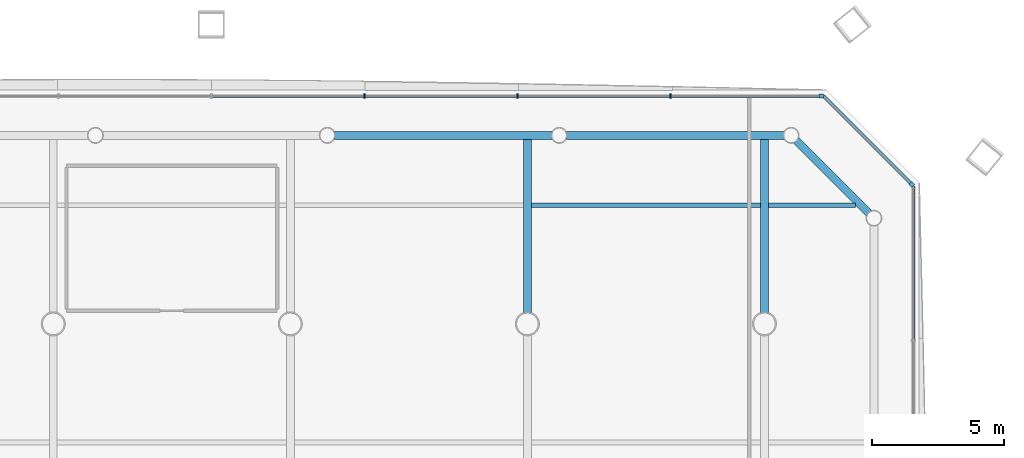
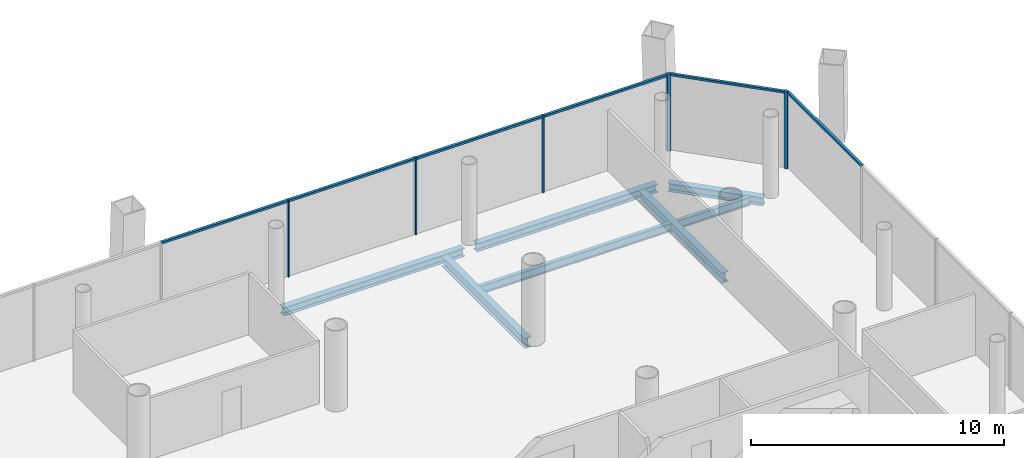
# One storey, part 11 of 21: 11 members, 7 beams, 3 elements without a shape of their own.
"""IFC4 building model written with IfcOpenShell, lengths in metres."""

from ifc_helpers import new_model, si_unit, direction, frame, origin, origin_2d, place, context, subcontext, project, spatial, rectangle, i_section, extrude, material, material_profile, profile_set, type_object, element, aggregate, save


model = new_model("IFC4")

# Units and contexts
model_context = context("Model", 3, precision=1e-05, world=origin(), true_north=direction((0.0, 1.0)))
body_context = subcontext(model_context, "Body", "Model", "MODEL_VIEW")
ifc_project = project(units=[si_unit("LENGTHUNIT", "METRE"), si_unit("AREAUNIT", "SQUARE_METRE"), si_unit("VOLUMEUNIT", "CUBIC_METRE"), si_unit("PLANEANGLEUNIT", "RADIAN"), si_unit("MASSUNIT", "GRAM", prefix="KILO")], contexts=[model_context])

# Site, building, storey
site_placement = place(None, origin())
site = spatial("IfcSite", under=ifc_project, at=site_placement, CompositionType="ELEMENT")
building_placement = place(site_placement, origin())
building = spatial("IfcBuilding", under=site, at=building_placement, Name="Tskaro Facet Tower", CompositionType="ELEMENT")
storey_placement = place(building_placement, frame((0.0, 0.0, 42.0)))
storey = spatial("IfcBuildingStorey", under=building, at=storey_placement, Name="L09", CompositionType="ELEMENT", Elevation=42.0)

# Curtain wall, member
ifc_material_1 = material(Name="Bronze anodised aluminium 6063-T6", Category="aluminium")
curtain_wall_type = type_object("IfcCurtainWallType", Name="Bronze office curtain wall (FW1)", PredefinedType="NOTDEFINED", material=ifc_material_1)
curtain_wall_1_placement = place(storey_placement, origin())
curtain_wall_1 = element("IfcCurtainWall", 1, at=curtain_wall_1_placement, inside=storey, type_object=curtain_wall_type, Name="FW1 north-east facet L09", PredefinedType="NOTDEFINED")
ifc_material_profile_1 = material_profile(ifc_material_1, rectangle(XDim=0.159912109375, YDim=0.159912109375, at=origin_2d()), Name="Corner post 160x160")
ifc_profile_set_1 = profile_set([ifc_material_profile_1], Name="Bronze anodised aluminium 6063-T6")
member_type_1 = type_object("IfcMemberType", Name="FW1 bronze corner post 160x160", PredefinedType="MULLION", material=ifc_profile_set_1)
member_1_placement = place(storey_placement, frame((23.597412109375, 23.29150390625, 0.0), z_axis=(0.0, 0.0, 1.0), x_axis=(-0.707106781187, 0.707106781187, 0.0)))
member_1 = element("IfcMember", 2, at=member_1_placement, type_object=member_type_1, Name="FW1 north-east corner post", PredefinedType="MULLION", context=body_context, shape_type="SweptSolid", body=[
    extrude(rectangle(XDim=0.159912109375, YDim=0.159912109375, at=origin_2d()), origin(), (0.0, 0.0, 1.0), 3.699951171875),
])

# Curtain wall, members
curtain_wall_2_placement = place(storey_placement, origin())
curtain_wall_2 = element("IfcCurtainWall", 3, at=curtain_wall_2_placement, inside=storey, type_object=curtain_wall_type, Name="FW1 north facet L09", PredefinedType="NOTDEFINED")
member_2_placement = place(storey_placement, frame((20.155029296875, 26.654052734375, 0.0), z_axis=(0.0, 0.0, 1.0), x_axis=(-1.0, 0.0, 0.0)))
member_2 = element("IfcMember", 4, at=member_2_placement, type_object=member_type_1, Name="FW1 north corner post", PredefinedType="MULLION", context=body_context, shape_type="SweptSolid", body=[
    extrude(rectangle(XDim=0.159912109375, YDim=0.159912109375, at=origin_2d()), origin(), (0.0, 0.0, 1.0), 3.699951171875),
])
ifc_material_profile_2 = material_profile(ifc_material_1, rectangle(XDim=0.06005859375, YDim=0.159912109375, at=origin_2d()), Name="Mullion 60x160")
ifc_profile_set_2 = profile_set([ifc_material_profile_2], Name="Bronze anodised aluminium 6063-T6")
member_type_2 = type_object("IfcMemberType", Name="FW1 bronze mullion 60x160", PredefinedType="MULLION", material=ifc_profile_set_2)
member_3_placement = place(storey_placement, frame((14.42626953125, 26.654052734375, 0.0), z_axis=(0.0, 0.0, 1.0), x_axis=(-1.0, 0.0, 0.0)))
member_3 = element("IfcMember", 5, at=member_3_placement, type_object=member_type_2, Name="FW1 north mullion 1", PredefinedType="MULLION", context=body_context, shape_type="SweptSolid", body=[
    extrude(rectangle(XDim=0.06005859375, YDim=0.159912109375, at=origin_2d()), origin(), (0.0, 0.0, 1.0), 3.699951171875),
])
member_4_placement = place(storey_placement, frame((8.617431640625, 26.654052734375, 0.0), z_axis=(0.0, 0.0, 1.0), x_axis=(-1.0, 0.0, 0.0)))
member_4 = element("IfcMember", 6, at=member_4_placement, type_object=member_type_2, Name="FW1 north mullion 2", PredefinedType="MULLION", context=body_context, shape_type="SweptSolid", body=[
    extrude(rectangle(XDim=0.06005859375, YDim=0.159912109375, at=origin_2d()), origin(), (0.0, 0.0, 1.0), 3.699951171875),
])
member_5_placement = place(storey_placement, frame((2.808837890625, 26.654052734375, 0.0), z_axis=(0.0, 0.0, 1.0), x_axis=(-1.0, 0.0, 0.0)))
member_5 = element("IfcMember", 7, at=member_5_placement, type_object=member_type_2, Name="FW1 north mullion 3", PredefinedType="MULLION", context=body_context, shape_type="SweptSolid", body=[
    extrude(rectangle(XDim=0.06005859375, YDim=0.159912109375, at=origin_2d()), origin(), (0.0, 0.0, 1.0), 3.699951171875),
])

# Curtain wall, member
curtain_wall_3_placement = place(storey_placement, origin())
curtain_wall_3 = element("IfcCurtainWall", 8, at=curtain_wall_3_placement, inside=storey, type_object=curtain_wall_type, Name="FW1 east facet L09", PredefinedType="NOTDEFINED")
ifc_material_profile_3 = material_profile(ifc_material_1, rectangle(XDim=0.1201171875, YDim=0.10009765625, at=origin_2d()), Name="Transom 120x100")
ifc_profile_set_3 = profile_set([ifc_material_profile_3], Name="Bronze anodised aluminium 6063-T6")
member_type_3 = type_object("IfcMemberType", Name="FW1 bronze transom 120x100", PredefinedType="USERDEFINED", material=ifc_profile_set_3)
member_6_placement = place(storey_placement, frame((23.654052734375, 17.396484375, 3.64990234375), z_axis=(0.0, 1.0, 0.0), x_axis=(-1.0, 0.0, 0.0)))
member_6 = element("IfcMember", 9, at=member_6_placement, type_object=member_type_3, Name="FW1 east transom 8.1", ObjectType="TRANSOM", PredefinedType="USERDEFINED", context=body_context, shape_type="SweptSolid", body=[
    extrude(rectangle(XDim=0.1201171875, YDim=0.10009765625, at=origin_2d()), origin(), (0.0, 0.0, 1.0), 5.838623046875),
])
aggregate(curtain_wall_3, [member_6])

# Member
member_7_placement = place(storey_placement, frame((23.540771484375, 23.34814453125, 3.64990234375), z_axis=(-0.707080669897, 0.707132891512, 0.0), x_axis=(-0.707132891512, -0.707080669897, 0.0)))
member_7 = element("IfcMember", 10, at=member_7_placement, type_object=member_type_3, Name="FW1 north-east transom 1.1", ObjectType="TRANSOM", PredefinedType="USERDEFINED", context=body_context, shape_type="SweptSolid", body=[
    extrude(rectangle(XDim=0.1201171875, YDim=0.10009765625, at=origin_2d()), origin(), (0.0, 0.0, 1.0), 4.675048828125),
])

aggregate(curtain_wall_1, [member_1, member_7])

member_8_placement = place(storey_placement, frame((20.074951171875, 26.654052734375, 3.64990234375), z_axis=(-1.0, 0.0, 0.0), x_axis=(0.0, -1.0, 0.0)))
member_8 = element("IfcMember", 11, at=member_8_placement, type_object=member_type_3, Name="FW1 north transom 1.1", ObjectType="TRANSOM", PredefinedType="USERDEFINED", context=body_context, shape_type="SweptSolid", body=[
    extrude(rectangle(XDim=0.1201171875, YDim=0.10009765625, at=origin_2d()), origin(), (0.0, 0.0, 1.0), 5.61865234375),
])

member_9_placement = place(storey_placement, frame((14.396240234375, 26.654052734375, 3.64990234375), z_axis=(-1.0, 0.0, 0.0), x_axis=(0.0, -1.0, 0.0)))
member_9 = element("IfcMember", 12, at=member_9_placement, type_object=member_type_3, Name="FW1 north transom 2.1", ObjectType="TRANSOM", PredefinedType="USERDEFINED", context=body_context, shape_type="SweptSolid", body=[
    extrude(rectangle(XDim=0.1201171875, YDim=0.10009765625, at=origin_2d()), origin(), (0.0, 0.0, 1.0), 5.748779296875),
])

member_10_placement = place(storey_placement, frame((8.58740234375, 26.654052734375, 3.64990234375), z_axis=(-1.0, 0.0, 0.0), x_axis=(0.0, -1.0, 0.0)))
member_10 = element("IfcMember", 13, at=member_10_placement, type_object=member_type_3, Name="FW1 north transom 3.1", ObjectType="TRANSOM", PredefinedType="USERDEFINED", context=body_context, shape_type="SweptSolid", body=[
    extrude(rectangle(XDim=0.1201171875, YDim=0.10009765625, at=origin_2d()), origin(), (0.0, 0.0, 1.0), 5.74853515625),
])

member_11_placement = place(storey_placement, frame((2.77880859375, 26.654052734375, 3.64990234375), z_axis=(-1.0, 0.0, 0.0), x_axis=(0.0, -1.0, 0.0)))
member_11 = element("IfcMember", 14, at=member_11_placement, type_object=member_type_3, Name="FW1 north transom 4.1", ObjectType="TRANSOM", PredefinedType="USERDEFINED", context=body_context, shape_type="SweptSolid", body=[
    extrude(rectangle(XDim=0.1201171875, YDim=0.10009765625, at=origin_2d()), origin(), (0.0, 0.0, 1.0), 5.748779296875),
])

aggregate(curtain_wall_2, [member_2, member_3, member_4, member_5, member_8, member_9, member_10, member_11])

# Beams
ifc_material_2 = material(Name="Steel S355J2", Category="steel")
ifc_material_profile_4 = material_profile(ifc_material_2, i_section(OverallWidth=0.300048828125, OverallDepth=0.39990234375, WebThickness=0.013427734375, FlangeThickness=0.02392578125, FilletRadius=0.027099609375, at=origin_2d()), Name="HE 400 B")
ifc_profile_set_4 = profile_set([ifc_material_profile_4], Name="Steel S355J2")
beam_type_1 = type_object("IfcBeamType", Name="HE 400 B ring beam", PredefinedType="BEAM", material=ifc_profile_set_4)
beam_1_placement = place(storey_placement, frame((21.962646484375, 22.20654296875, -0.340087890625), z_axis=(-0.707106781187, 0.707106781187, 0.0), x_axis=(-0.707106781187, -0.707106781187, 0.0)))
element("IfcBeam", 15, at=beam_1_placement, inside=storey, type_object=beam_type_1, Name="HE 400 B EB13-1", PredefinedType="BEAM", context=body_context, shape_type="SweptSolid", body=[
    extrude(i_section(OverallWidth=0.300048828125, OverallDepth=0.39990234375, WebThickness=0.013427734375, FlangeThickness=0.02392578125, FilletRadius=0.027099609375, at=origin_2d()), origin(), (0.0, 0.0, 1.0), 3.897705078125),
])
beam_2_placement = place(storey_placement, frame((18.737060546875, 25.156982421875, -0.340087890625), z_axis=(-1.0, 0.0, 0.0), x_axis=(0.0, -1.0, 0.0)))
element("IfcBeam", 16, at=beam_2_placement, inside=storey, type_object=beam_type_1, Name="HE 400 B EB14-1", PredefinedType="BEAM", context=body_context, shape_type="SweptSolid", body=[
    extrude(i_section(OverallWidth=0.300048828125, OverallDepth=0.39990234375, WebThickness=0.013427734375, FlangeThickness=0.02392578125, FilletRadius=0.027099609375, at=origin_2d()), origin(), (0.0, 0.0, 1.0), 8.255126953125),
])
beam_3_placement = place(storey_placement, frame((9.931884765625, 25.156982421875, -0.340087890625), z_axis=(-1.0, 0.0, 0.0), x_axis=(0.0, -1.0, 0.0)))
element("IfcBeam", 17, at=beam_3_placement, inside=storey, type_object=beam_type_1, Name="HE 400 B EB15-1", PredefinedType="BEAM", context=body_context, shape_type="SweptSolid", body=[
    extrude(i_section(OverallWidth=0.300048828125, OverallDepth=0.39990234375, WebThickness=0.013427734375, FlangeThickness=0.02392578125, FilletRadius=0.027099609375, at=origin_2d()), origin(), (0.0, 0.0, 1.0), 8.2548828125),
])
ifc_material_profile_5 = material_profile(ifc_material_2, i_section(OverallWidth=0.300048828125, OverallDepth=0.489990234375, WebThickness=0.011962890625, FlangeThickness=0.02294921875, FilletRadius=0.027099609375, at=origin_2d()), Name="HE 500 A")
ifc_profile_set_5 = profile_set([ifc_material_profile_5], Name="Steel S355J2")
beam_type_2 = type_object("IfcBeamType", Name="HE 500 A girder", PredefinedType="BEAM", material=ifc_profile_set_5)
for number, where, z_axis, x_axis, name in (
    (18, (9.0, 18.42724609375, -0.385009765625), (0.0, 1.0, 0.0), (-1.0, 0.0, 0.0), "HE 500 A GB5-5-1"),
    (19, (18.0, 18.42724609375, -0.385009765625), (0.0, 1.0, 0.0), (-1.0, 0.0, 0.0), "HE 500 A GB6-6-1"),
):
    element("IfcBeam", number, at=place(storey_placement, frame(where, z_axis=z_axis, x_axis=x_axis)), inside=storey, type_object=beam_type_2, Name=name, PredefinedType="BEAM", context=body_context, shape_type="SweptSolid", body=[
        extrude(i_section(OverallWidth=0.300048828125, OverallDepth=0.489990234375, WebThickness=0.011962890625, FlangeThickness=0.02294921875, FilletRadius=0.027099609375, at=origin_2d()), origin(), (0.0, 0.0, 1.0), 6.579833984375),
    ])
ifc_material_profile_6 = material_profile(ifc_material_2, i_section(OverallWidth=0.179931640625, OverallDepth=0.39990234375, WebThickness=0.008544921875, FlangeThickness=0.013427734375, FilletRadius=0.02099609375, at=origin_2d()), Name="IPE 400")
ifc_profile_set_6 = profile_set([ifc_material_profile_6], Name="Steel S355J2")
beam_type_3 = type_object("IfcBeamType", Name="IPE 400 secondary beam", PredefinedType="BEAM", material=ifc_profile_set_6)
beam_4_placement = place(storey_placement, frame((9.14990234375, 22.5, -0.340087890625), z_axis=(1.0, 0.0, 0.0), x_axis=(0.0, 1.0, 0.0)))
element("IfcBeam", 20, at=beam_4_placement, inside=storey, type_object=beam_type_3, Name="IPE 400 SB6a-5-1", PredefinedType="BEAM", context=body_context, shape_type="SweptSolid", body=[
    extrude(i_section(OverallWidth=0.179931640625, OverallDepth=0.39990234375, WebThickness=0.008544921875, FlangeThickness=0.013427734375, FilletRadius=0.02099609375, at=origin_2d()), origin(), (0.0, 0.0, 1.0), 8.7001953125),
])
beam_5_placement = place(storey_placement, frame((18.14990234375, 22.5, -0.340087890625), z_axis=(1.0, 0.0, 0.0), x_axis=(0.0, 1.0, 0.0)))
element("IfcBeam", 21, at=beam_5_placement, inside=storey, type_object=beam_type_3, Name="IPE 400 SB6a-6-1", PredefinedType="BEAM", context=body_context, shape_type="SweptSolid", body=[
    extrude(i_section(OverallWidth=0.179931640625, OverallDepth=0.39990234375, WebThickness=0.008544921875, FlangeThickness=0.013427734375, FilletRadius=0.02099609375, at=origin_2d()), origin(), (0.0, 0.0, 1.0), 3.30712890625),
])

save(model, "model.ifc")
